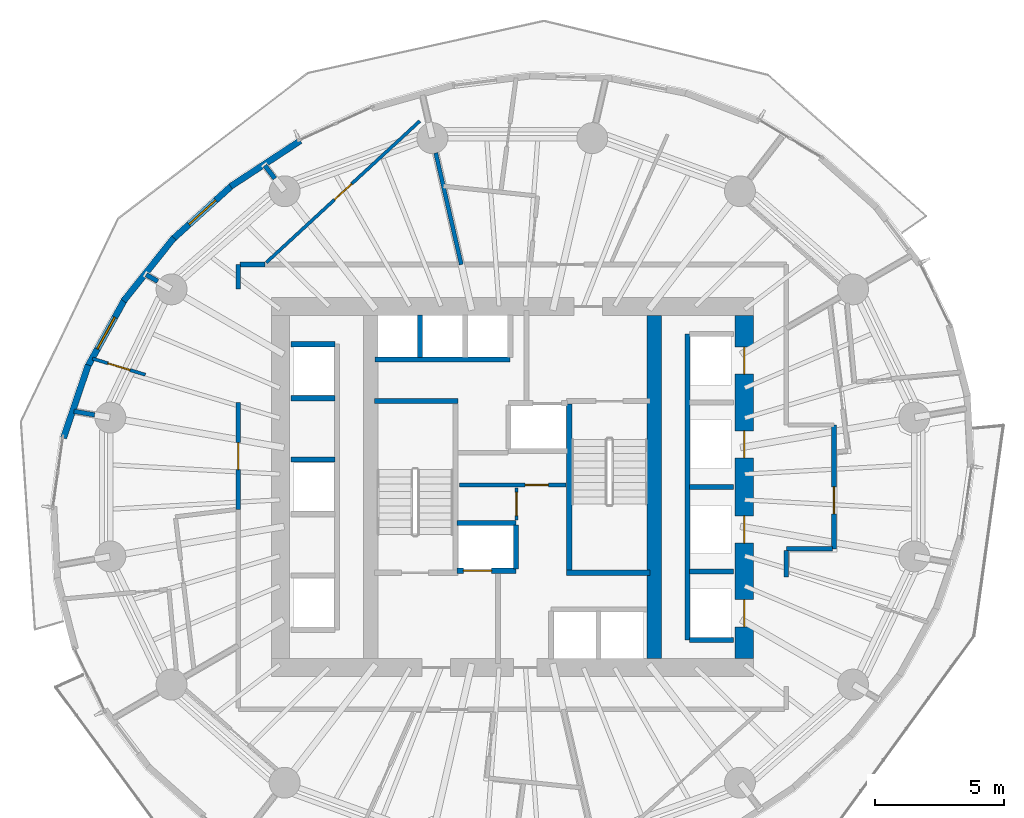
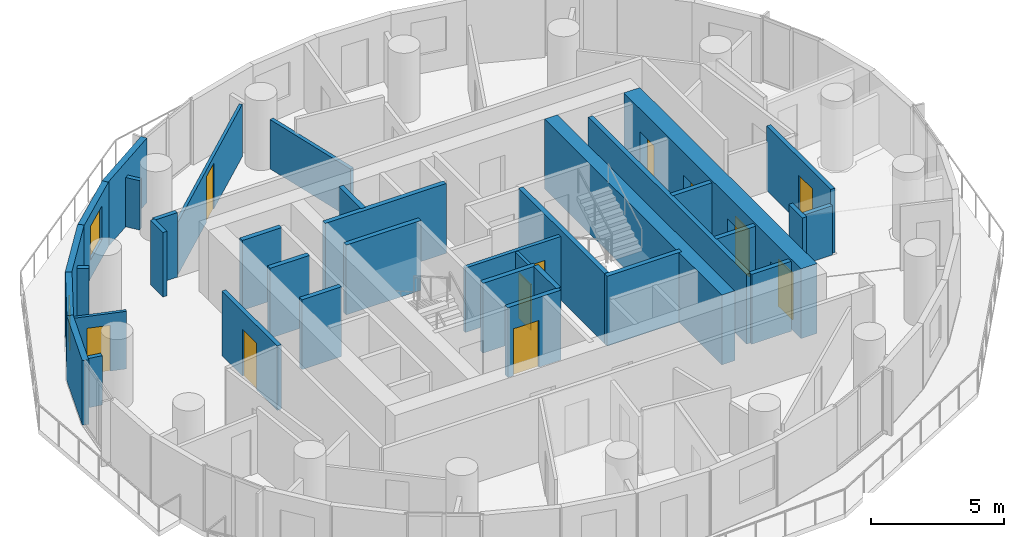
# One storey, part 8 of 14: 36 walls, 11 doors, 2 windows, 13 openings.
"""IFC4 building model written with IfcOpenShell, lengths in metres."""

from ifc_helpers import new_model, si_unit, direction, frame, frame_2d, origin, place, context, subcontext, project, spatial, rectangle, extrude, material, layer, layer_set, type_object, element, fill, save


model = new_model("IFC4")

# Units and contexts
model_context = context("Model", 3, precision=1e-05, world=origin(), true_north=direction((0.0, 1.0)))
body_context = subcontext(model_context, "Body", "Model", "MODEL_VIEW")
ifc_project = project(units=[si_unit("LENGTHUNIT", "METRE"), si_unit("AREAUNIT", "SQUARE_METRE"), si_unit("VOLUMEUNIT", "CUBIC_METRE"), si_unit("PLANEANGLEUNIT", "RADIAN"), si_unit("MASSUNIT", "GRAM", prefix="KILO")], contexts=[model_context])

# Site, building, storey
site_placement = place(None, origin())
site = spatial("IfcSite", under=ifc_project, at=site_placement, CompositionType="ELEMENT")
building_placement = place(site_placement, origin())
building = spatial("IfcBuilding", under=site, at=building_placement, Name="Veldorim Arch Residences", CompositionType="ELEMENT")
storey_placement = place(building_placement, frame((0.0, 0.0, 86.8798828125)))
storey = spatial("IfcBuildingStorey", under=building, at=storey_placement, Name="L25", CompositionType="ELEMENT", Elevation=86.8798828125)

# Wall, opening, door
ifc_material_1 = material(Name="Acoustic Gypsum Board", Category="gypsum")
ifc_layer_1 = layer(ifc_material_1, 0.125, Name="Acoustic Stud Room Partition Wall 125")
ifc_layer_set_1 = layer_set([ifc_layer_1], Name="Acoustic Gypsum Board")
wall_type_1 = type_object("IfcWallType", Name="Acoustic Stud Room Partition Wall 125", PredefinedType="PARTITIONING", material=ifc_layer_set_1)
wall_1_placement = place(storey_placement, frame((32.159912109375, 22.719970703125, 0.0), z_axis=(0.0, 0.0, 1.0), x_axis=(0.0, 1.0, 0.0)))
wall_1 = element("IfcWall", 1, at=wall_1_placement, inside=storey, type_object=wall_type_1, Name="L25 interior wall WL-CA-L25-2", PredefinedType="PARTITIONING", context=body_context, shape_type="SweptSolid", body=[
    extrude(rectangle(XDim=1.25, YDim=0.125, at=frame_2d((0.625, 0.0))), origin(), (0.0, 0.0, 1.0), 2.955078125),
])
opening_1_placement = place(wall_1_placement, frame((0.169921875, 0.0, 0.0)))
opening_1 = element("IfcOpeningElement", 2, at=opening_1_placement, cuts=wall_1, Name="Opening DR-SVC", PredefinedType="OPENING", context=body_context, shape_type="SweptSolid", body=[
    extrude(rectangle(XDim=0.89990234375, YDim=2.10009765625, at=frame_2d((0.449951171875, 1.050048828125))), frame((0.0, 0.072509765625, 0.0), z_axis=(0.0, -1.0, 0.0), x_axis=(1.0, 0.0, 0.0)), (0.0, 0.0, 1.0), 0.14501953125),
])
ifc_material_2 = material(Name="Fire-Rated Steel", Category="steel")
door_type_1 = type_object("IfcDoorType", Name="Riser, Shelter & Plant Room Rated Steel Door 900x2100", OperationType="SINGLE_SWING_LEFT", PredefinedType="DOOR", material=ifc_material_2)
door_1_placement = place(opening_1_placement, origin())
door_1 = element("IfcDoor", 3, at=door_1_placement, inside=storey, type_object=door_type_1, Name="L25 interior door DR-L25-CA2", OperationType="SINGLE_SWING_RIGHT", OverallHeight=2.10009765625, OverallWidth=0.89990234375, PredefinedType="DOOR", context=body_context, shape_type="SweptSolid", body=[
    extrude(rectangle(XDim=0.89990234375, YDim=2.10009765625, at=frame_2d((0.449951171875, 1.050048828125))), frame((0.0, 0.02490234375, 0.0), z_axis=(0.0, -1.0, 0.0), x_axis=(1.0, 0.0, 0.0)), (0.0, 0.0, 1.0), 0.050048828125),
])
fill(opening_1, door_1)

wall_2_placement = place(storey_placement, frame((15.711669921875, 28.982177734375, 0.0), z_axis=(0.0, 0.0, 1.0), x_axis=(0.956248079097, -0.292557022175, 0.0)))
wall_2 = element("IfcWall", 4, at=wall_2_placement, inside=storey, type_object=wall_type_1, Name="L25 interior wall WL-RES-L25-036", PredefinedType="PARTITIONING", context=body_context, shape_type="SweptSolid", body=[
    extrude(rectangle(XDim=2.143798828125, YDim=0.125, at=frame_2d((1.07177734375, 0.0))), origin(), (0.0, 0.0, 1.0), 2.6416015625),
])
opening_2_placement = place(wall_2_placement, frame((0.6220703125, 0.0, 0.0)))
opening_2 = element("IfcOpeningElement", 5, at=opening_2_placement, cuts=wall_2, Name="Opening DR-INT", PredefinedType="OPENING", context=body_context, shape_type="SweptSolid", body=[
    extrude(rectangle(XDim=0.89990234375, YDim=2.10009765625, at=frame_2d((0.449951171875, 1.050048828125))), frame((0.0, 0.072509765625, 0.0), z_axis=(0.0, -1.0, 0.0), x_axis=(1.0, 0.0, 0.0)), (0.0, 0.0, 1.0), 0.14501953125),
])
ifc_material_3 = material(Name="Engineered Timber", Category="wood")
door_type_2 = type_object("IfcDoorType", Name="Apartment Internal Room Timber Door 900x2100", OperationType="SINGLE_SWING_LEFT", PredefinedType="DOOR", material=ifc_material_3)
door_2_placement = place(opening_2_placement, origin())
door_2 = element("IfcDoor", 6, at=door_2_placement, inside=storey, type_object=door_type_2, Name="L25 interior door DR-RES-L25-018", OperationType="SINGLE_SWING_RIGHT", OverallHeight=2.10009765625, OverallWidth=0.89990234375, PredefinedType="DOOR", context=body_context, shape_type="SweptSolid", body=[
    extrude(rectangle(XDim=0.89990234375, YDim=2.10009765625, at=frame_2d((0.449951171875, 1.050048828125))), frame((0.0, 0.02490234375, 0.0), z_axis=(0.0, -1.0, 0.0), x_axis=(1.0, 0.0, 0.0)), (0.0, 0.0, 1.0), 0.050048828125),
])
fill(opening_2, door_2)

wall_3_placement = place(storey_placement, frame((28.408203125, 38.19482421875, 0.0), z_axis=(0.0, 0.0, 1.0), x_axis=(-0.735306461181, -0.677734762386, 0.0)))
wall_3 = element("IfcWall", 7, at=wall_3_placement, inside=storey, type_object=wall_type_1, Name="L25 interior wall WL-RES-L25-039", PredefinedType="PARTITIONING", context=body_context, shape_type="SweptSolid", body=[
    extrude(rectangle(XDim=8.091064453125, YDim=0.125, at=frame_2d((4.04541015625, 0.0))), origin(), (0.0, 0.0, 1.0), 2.40380859375),
])
opening_3_placement = place(wall_3_placement, frame((3.595703125, 0.0, 0.0)))
opening_3 = element("IfcOpeningElement", 8, at=opening_3_placement, cuts=wall_3, Name="Opening DR-INT", PredefinedType="OPENING", context=body_context, shape_type="SweptSolid", body=[
    extrude(rectangle(XDim=0.89990234375, YDim=2.10009765625, at=frame_2d((0.449951171875, 1.050048828125))), frame((0.0, 0.072509765625, 0.0), z_axis=(0.0, -1.0, 0.0), x_axis=(1.0, 0.0, 0.0)), (0.0, 0.0, 1.0), 0.14501953125),
])
door_3_placement = place(opening_3_placement, origin())
door_3 = element("IfcDoor", 9, at=door_3_placement, inside=storey, type_object=door_type_2, Name="L25 interior door DR-RES-L25-019", OperationType="SINGLE_SWING_LEFT", OverallHeight=2.10009765625, OverallWidth=0.89990234375, PredefinedType="DOOR", context=body_context, shape_type="SweptSolid", body=[
    extrude(rectangle(XDim=0.89990234375, YDim=2.10009765625, at=frame_2d((0.449951171875, 1.050048828125))), frame((0.0, 0.02490234375, 0.0), z_axis=(0.0, -1.0, 0.0), x_axis=(1.0, 0.0, 0.0)), (0.0, 0.0, 1.0), 0.050048828125),
])
fill(opening_3, door_3)

# Walls
ifc_material_4 = material(Name="Lightweight Masonry Block & Gypsum", Category="masonry")
ifc_layer_2 = layer(ifc_material_4, 0.179931640625, Name="Compartment & Corridor Fire-Rated Party Wall 180")
ifc_layer_set_2 = layer_set([ifc_layer_2], Name="Lightweight Masonry Block & Gypsum")
wall_type_2 = type_object("IfcWallType", Name="Compartment & Corridor Fire-Rated Party Wall 180", PredefinedType="PARTITIONING", material=ifc_layer_set_2)
wall_4_placement = place(storey_placement, frame((22.7880859375, 35.965576171875, 0.0), z_axis=(0.0, 0.0, 1.0), x_axis=(-0.609970610867, 0.792424036661, 0.0)))
element("IfcWall", 10, at=wall_4_placement, inside=storey, type_object=wall_type_2, Name="L25 interior wall WL-PIER-L25-06", PredefinedType="PARTITIONING", context=body_context, shape_type="SweptSolid", body=[
    extrude(rectangle(XDim=0.635498046875, YDim=0.179931640625, at=frame_2d((0.31787109375, 0.0))), origin(), (0.0, 0.0, 1.0), 2.2607421875),
])
wall_5_placement = place(storey_placement, frame((18.243408203125, 31.977783203125, 0.0), z_axis=(0.0, 0.0, 1.0), x_axis=(-0.864981735625, 0.501803344981, 0.0)))
element("IfcWall", 11, at=wall_5_placement, inside=storey, type_object=wall_type_2, Name="L25 interior wall WL-PIER-L25-07", PredefinedType="PARTITIONING", context=body_context, shape_type="SweptSolid", body=[
    extrude(rectangle(XDim=0.51416015625, YDim=0.179931640625, at=frame_2d((0.257080078125, 0.0))), origin(), (0.0, 0.0, 1.0), 2.2607421875),
])
wall_6_placement = place(storey_placement, frame((15.79443359375, 26.797607421875, 0.0), z_axis=(0.0, 0.0, 1.0), x_axis=(-0.985418430365, 0.170148514822, 0.0)))
element("IfcWall", 12, at=wall_6_placement, inside=storey, type_object=wall_type_2, Name="L25 interior wall WL-PIER-L25-08", PredefinedType="PARTITIONING", context=body_context, shape_type="SweptSolid", body=[
    extrude(rectangle(XDim=0.812255859375, YDim=0.179931640625, at=frame_2d((0.40625, 0.0))), origin(), (0.0, 0.0, 1.0), 2.2607421875),
])

# Wall, opening, door
wall_7_placement = place(storey_placement, frame((44.47998046875, 26.39990234375, 0.0), z_axis=(0.0, 0.0, 1.0), x_axis=(0.0, -1.0, 0.0)))
wall_7 = element("IfcWall", 13, at=wall_7_placement, inside=storey, type_object=wall_type_2, Name="L25 interior wall WL-RES-L25-003", PredefinedType="PARTITIONING", context=body_context, shape_type="SweptSolid", body=[
    extrude(rectangle(XDim=4.7998046875, YDim=0.179931640625, at=frame_2d((2.39990234375, 0.0))), origin(), (0.0, 0.0, 1.0), 2.955078125),
])
opening_4_placement = place(wall_7_placement, frame((2.39208984375, 0.0, 0.0)))
opening_4 = element("IfcOpeningElement", 14, at=opening_4_placement, cuts=wall_7, Name="Opening DR-FLT", PredefinedType="OPENING", context=body_context, shape_type="SweptSolid", body=[
    extrude(rectangle(XDim=1.050048828125, YDim=2.14990234375, at=frame_2d((0.52490234375, 1.074951171875))), frame((0.0, 0.099853515625, 0.0), z_axis=(0.0, -1.0, 0.0), x_axis=(1.0, 0.0, 0.0)), (0.0, 0.0, 1.0), 0.199951171875),
])
ifc_material_5 = material(Name="Fire-Rated Timber", Category="wood")
door_type_3 = type_object("IfcDoorType", Name="Apartment Entrance Solid-Core Fire Door 1050x2150", OperationType="SINGLE_SWING_LEFT", PredefinedType="DOOR", material=ifc_material_5)
door_4_placement = place(opening_4_placement, origin())
door_4 = element("IfcDoor", 15, at=door_4_placement, inside=storey, type_object=door_type_3, Name="L25 interior door DR-RES-L25-006", OperationType="SINGLE_SWING_RIGHT", OverallHeight=2.14990234375, OverallWidth=1.050048828125, PredefinedType="DOOR", context=body_context, shape_type="SweptSolid", body=[
    extrude(rectangle(XDim=1.050048828125, YDim=2.14990234375, at=frame_2d((0.52490234375, 1.074951171875))), frame((0.0, 0.02490234375, 0.0), z_axis=(0.0, -1.0, 0.0), x_axis=(1.0, 0.0, 0.0)), (0.0, 0.0, 1.0), 0.050048828125),
])
fill(opening_4, door_4)

# Walls
wall_8_placement = place(storey_placement, frame((44.419921875, 21.60009765625, 0.0), z_axis=(0.0, 0.0, 1.0), x_axis=(-1.0, 0.0, 0.0)))
element("IfcWall", 16, at=wall_8_placement, inside=storey, type_object=wall_type_2, Name="L25 interior wall WL-RES-L25-004", PredefinedType="PARTITIONING", context=body_context, shape_type="SweptSolid", body=[
    extrude(rectangle(XDim=1.7900390625, YDim=0.179931640625, at=frame_2d((0.89501953125, 0.0))), origin(), (0.0, 0.0, 1.0), 2.2607421875),
])
wall_9_placement = place(storey_placement, frame((42.6298828125, 21.5400390625, 0.0), z_axis=(0.0, 0.0, 1.0), x_axis=(0.0, -1.0, 0.0)))
element("IfcWall", 17, at=wall_9_placement, inside=storey, type_object=wall_type_2, Name="L25 interior wall WL-RES-L25-005", PredefinedType="PARTITIONING", context=body_context, shape_type="SweptSolid", body=[
    extrude(rectangle(XDim=1.033935546875, YDim=0.179931640625, at=frame_2d((0.51708984375, 0.0))), origin(), (0.0, 0.0, 1.0), 2.955078125),
])

# Wall, opening, door
wall_10_placement = place(storey_placement, frame((21.3701171875, 23.118408203125, 0.0), z_axis=(0.0, 0.0, 1.0), x_axis=(0.0, 1.0, 0.0)))
wall_10 = element("IfcWall", 18, at=wall_10_placement, inside=storey, type_object=wall_type_2, Name="L25 interior wall WL-RES-L25-011", PredefinedType="PARTITIONING", context=body_context, shape_type="SweptSolid", body=[
    extrude(rectangle(XDim=4.15380859375, YDim=0.179931640625, at=frame_2d((2.076904296875, 0.0))), origin(), (0.0, 0.0, 1.0), 2.955078125),
])
opening_5_placement = place(wall_10_placement, frame((1.552001953125, 0.0, 0.0)))
opening_5 = element("IfcOpeningElement", 19, at=opening_5_placement, cuts=wall_10, Name="Opening DR-FLT", PredefinedType="OPENING", context=body_context, shape_type="SweptSolid", body=[
    extrude(rectangle(XDim=1.050048828125, YDim=2.14990234375, at=frame_2d((0.52490234375, 1.074951171875))), frame((0.0, 0.099853515625, 0.0), z_axis=(0.0, -1.0, 0.0), x_axis=(1.0, 0.0, 0.0)), (0.0, 0.0, 1.0), 0.199951171875),
])
door_5_placement = place(opening_5_placement, origin())
door_5 = element("IfcDoor", 20, at=door_5_placement, inside=storey, type_object=door_type_3, Name="L25 interior door DR-RES-L25-016", OperationType="SINGLE_SWING_RIGHT", OverallHeight=2.14990234375, OverallWidth=1.050048828125, PredefinedType="DOOR", context=body_context, shape_type="SweptSolid", body=[
    extrude(rectangle(XDim=1.050048828125, YDim=2.14990234375, at=frame_2d((0.52490234375, 1.074951171875))), frame((0.0, 0.02490234375, 0.0), z_axis=(0.0, -1.0, 0.0), x_axis=(1.0, 0.0, 0.0)), (0.0, 0.0, 1.0), 0.050048828125),
])
fill(opening_5, door_5)

# Walls
wall_11_placement = place(storey_placement, frame((21.3701171875, 31.6806640625, 0.0), z_axis=(0.0, 0.0, 1.0), x_axis=(0.0, 1.0, 0.0)))
element("IfcWall", 21, at=wall_11_placement, inside=storey, type_object=wall_type_2, Name="L25 interior wall WL-RES-L25-012", PredefinedType="PARTITIONING", context=body_context, shape_type="SweptSolid", body=[
    extrude(rectangle(XDim=0.94921875, YDim=0.179931640625, at=frame_2d((0.474609375, 0.0))), origin(), (0.0, 0.0, 1.0), 2.955078125),
])
wall_12_placement = place(storey_placement, frame((21.429931640625, 32.6298828125, 0.0), z_axis=(0.0, 0.0, 1.0), x_axis=(1.0, 0.0, 0.0)))
element("IfcWall", 22, at=wall_12_placement, inside=storey, type_object=wall_type_2, Name="L25 interior wall WL-RES-L25-013", PredefinedType="PARTITIONING", context=body_context, shape_type="SweptSolid", body=[
    extrude(rectangle(XDim=0.969970703125, YDim=0.179931640625, at=frame_2d((0.48486328125, 0.0))), origin(), (0.0, 0.0, 1.0), 2.955078125),
])
ifc_material_6 = material(Name="Concrete C50/60", Category="concrete")
ifc_layer_3 = layer(ifc_material_6, 0.199951171875, Name="Core Stair & Lift Shaft Enclosure Wall 200")
ifc_layer_set_3 = layer_set([ifc_layer_3], Name="Concrete C50/60")
wall_type_3 = type_object("IfcWallType", Name="Core Stair & Lift Shaft Enclosure Wall 200", PredefinedType="SHEAR", material=ifc_layer_set_3)
wall_13_placement = place(storey_placement, frame((26.64990234375, 27.330078125, 0.0), z_axis=(0.0, 0.0, 1.0), x_axis=(1.0, 0.0, 0.0)))
element("IfcWall", 23, at=wall_13_placement, inside=storey, type_object=wall_type_3, Name="L25 shaft wall WL-SHF-L25-ST1-N", PredefinedType="SHEAR", context=body_context, shape_type="SweptSolid", body=[
    extrude(rectangle(XDim=3.239990234375, YDim=0.199951171875, at=frame_2d((1.6201171875, 0.0))), origin(), (0.0, 0.0, 1.0), 3.2001953125),
])
wall_14_placement = place(storey_placement, frame((34.2099609375, 20.780029296875, 0.0), z_axis=(0.0, 0.0, 1.0), x_axis=(0.0, 1.0, 0.0)))
element("IfcWall", 24, at=wall_14_placement, inside=storey, type_object=wall_type_3, Name="L25 shaft wall WL-SHF-L25-ST2-W", PredefinedType="SHEAR", context=body_context, shape_type="SweptSolid", body=[
    extrude(rectangle(XDim=6.43994140625, YDim=0.199951171875, at=frame_2d((3.219970703125, 0.0))), origin(), (0.0, 0.0, 1.0), 3.2001953125),
])
wall_15_placement = place(storey_placement, frame((34.110107421875, 20.669921875, 0.0), z_axis=(0.0, 0.0, 1.0), x_axis=(1.0, 0.0, 0.0)))
element("IfcWall", 25, at=wall_15_placement, inside=storey, type_object=wall_type_3, Name="L25 shaft wall WL-SHF-L25-ST2-S", PredefinedType="SHEAR", context=body_context, shape_type="SweptSolid", body=[
    extrude(rectangle(XDim=3.239990234375, YDim=0.199951171875, at=frame_2d((1.6201171875, 0.0))), origin(), (0.0, 0.0, 1.0), 3.2001953125),
])

# Wall, opening, door
wall_16_placement = place(storey_placement, frame((29.85009765625, 20.75, 0.0), z_axis=(0.0, 0.0, 1.0), x_axis=(1.0, 0.0, 0.0)))
wall_16 = element("IfcWall", 26, at=wall_16_placement, inside=storey, type_object=wall_type_3, Name="L25 shaft wall WL-FL01-L25-S", PredefinedType="SHEAR", context=body_context, shape_type="SweptSolid", body=[
    extrude(rectangle(XDim=2.2998046875, YDim=0.199951171875, at=frame_2d((1.14990234375, 0.0))), origin(), (0.0, 0.0, 1.0), 3.2001953125),
])
opening_6_placement = place(wall_16_placement, frame((0.25, 0.0, 0.0)))
opening_6 = element("IfcOpeningElement", 27, at=opening_6_placement, cuts=wall_16, Name="Opening LD-FF", PredefinedType="OPENING", context=body_context, shape_type="SweptSolid", body=[
    extrude(rectangle(XDim=1.10009765625, YDim=2.14990234375, at=frame_2d((0.550048828125, 1.074951171875))), frame((0.0, 0.10986328125, 0.0), z_axis=(0.0, -1.0, 0.0), x_axis=(1.0, 0.0, 0.0)), (0.0, 0.0, 1.0), 0.219970703125),
])
ifc_material_7 = material(Name="Stainless Steel", Category="steel")
door_type_4 = type_object("IfcDoorType", Name="Firefighting Lift Bi-Parting Sliding Landing Door 1100x2150", OperationType="DOUBLE_DOOR_SLIDING", PredefinedType="DOOR", material=ifc_material_7)
door_6_placement = place(opening_6_placement, origin())
door_6 = element("IfcDoor", 28, at=door_6_placement, inside=storey, type_object=door_type_4, Name="L25 lift landing door LD-L25-FL01", OperationType="DOUBLE_DOOR_SLIDING", OverallHeight=2.14990234375, OverallWidth=1.10009765625, PredefinedType="DOOR", context=body_context, shape_type="SweptSolid", body=[
    extrude(rectangle(XDim=1.10009765625, YDim=2.14990234375, at=frame_2d((0.550048828125, 1.074951171875))), frame((0.0, 0.02490234375, 0.0), z_axis=(0.0, -1.0, 0.0), x_axis=(1.0, 0.0, 0.0)), (0.0, 0.0, 1.0), 0.050048828125),
])
fill(opening_6, door_6)

# Walls
wall_17_placement = place(storey_placement, frame((29.85009765625, 22.60009765625, 0.0), z_axis=(0.0, 0.0, 1.0), x_axis=(1.0, 0.0, 0.0)))
element("IfcWall", 29, at=wall_17_placement, inside=storey, type_object=wall_type_3, Name="L25 shaft wall WL-FL01-L25-N", PredefinedType="SHEAR", context=body_context, shape_type="SweptSolid", body=[
    extrude(rectangle(XDim=2.2998046875, YDim=0.199951171875, at=frame_2d((1.14990234375, 0.0))), origin(), (0.0, 0.0, 1.0), 3.2001953125),
])
wall_18_placement = place(storey_placement, frame((32.14990234375, 20.820068359375, 0.0), z_axis=(0.0, 0.0, 1.0), x_axis=(0.0, 1.0, 0.0)))
element("IfcWall", 30, at=wall_18_placement, inside=storey, type_object=wall_type_3, Name="L25 shaft wall WL-FL01-L25-E", PredefinedType="SHEAR", context=body_context, shape_type="SweptSolid", body=[
    extrude(rectangle(XDim=1.7099609375, YDim=0.199951171875, at=frame_2d((0.85498046875, 0.0))), origin(), (0.0, 0.0, 1.0), 3.2001953125),
])
wall_19_placement = place(storey_placement, frame((38.800048828125, 18.06005859375, 0.0), z_axis=(0.0, 0.0, 1.0), x_axis=(0.0, 1.0, 0.0)))
element("IfcWall", 31, at=wall_19_placement, inside=storey, type_object=wall_type_3, Name="L25 shaft wall WL-B1-L25-W", PredefinedType="SHEAR", context=body_context, shape_type="SweptSolid", body=[
    extrude(rectangle(XDim=11.8798828125, YDim=0.199951171875, at=frame_2d((5.93994140625, 0.0))), origin(), (0.0, 0.0, 1.0), 3.2001953125),
])
for number, where, z_axis, x_axis, name in (
    (32, (38.8701171875, 18.06005859375, 0.0), (0.0, 0.0, 1.0), (1.0, 0.0, 0.0), "L25 shaft wall WL-B1-L25-S"),
    (33, (38.8701171875, 20.72509765625, 0.0), (0.0, 0.0, 1.0), (1.0, 0.0, 0.0), "L25 shaft wall WL-B1-L25-D1"),
    (34, (38.8701171875, 24.0, 0.0), (0.0, 0.0, 1.0), (1.0, 0.0, 0.0), "L25 shaft wall WL-B1-L25-D2"),
    (35, (23.419921875, 29.5400390625, 0.0), (0.0, 0.0, 1.0), (1.0, 0.0, 0.0), "L25 shaft wall WL-B2-L25-N"),
    (36, (23.419921875, 25.06005859375, 0.0), (0.0, 0.0, 1.0), (1.0, 0.0, 0.0), "L25 shaft wall WL-B2-L25-D2A"),
    (37, (23.419921875, 27.43994140625, 0.0), (0.0, 0.0, 1.0), (1.0, 0.0, 0.0), "L25 shaft wall WL-B2-L25-D2B"),
):
    element("IfcWall", number, at=place(storey_placement, frame(where, z_axis=z_axis, x_axis=x_axis)), inside=storey, type_object=wall_type_3, Name=name, PredefinedType="SHEAR", context=body_context, shape_type="SweptSolid", body=[
        extrude(rectangle(XDim=1.7099609375, YDim=0.199951171875, at=frame_2d((0.85498046875, 0.0))), origin(), (0.0, 0.0, 1.0), 3.2001953125),
    ])
wall_20_placement = place(storey_placement, frame((26.679931640625, 28.949951171875, 0.0), z_axis=(0.0, 0.0, 1.0), x_axis=(1.0, 0.0, 0.0)))
element("IfcWall", 38, at=wall_20_placement, inside=storey, type_object=wall_type_3, Name="L25 shaft wall WL-B3-L25-S", PredefinedType="SHEAR", context=body_context, shape_type="SweptSolid", body=[
    extrude(rectangle(XDim=5.239990234375, YDim=0.199951171875, at=frame_2d((2.6201171875, 0.0))), origin(), (0.0, 0.0, 1.0), 3.2001953125),
])
wall_21_placement = place(storey_placement, frame((28.425048828125, 29.02001953125, 0.0), z_axis=(0.0, 0.0, 1.0), x_axis=(0.0, 1.0, 0.0)))
element("IfcWall", 39, at=wall_21_placement, inside=storey, type_object=wall_type_3, Name="L25 shaft wall WL-B3-L25-D1", PredefinedType="SHEAR", context=body_context, shape_type="SweptSolid", body=[
    extrude(rectangle(XDim=1.659912109375, YDim=0.199951171875, at=frame_2d((0.830078125, 0.0))), origin(), (0.0, 0.0, 1.0), 3.2001953125),
])
ifc_material_8 = material(Name="Concrete C60/75", Category="concrete")
ifc_layer_4 = layer(ifc_material_8, 0.56005859375, Name="Internal Core Shear Web Wall 560")
ifc_layer_set_4 = layer_set([ifc_layer_4], Name="Concrete C60/75")
wall_type_4 = type_object("IfcWallType", Name="Internal Core Shear Web Wall 560", PredefinedType="SHEAR", material=ifc_layer_set_4)
wall_22_placement = place(storey_placement, frame((37.5, 17.35009765625, 0.0), z_axis=(0.0, 0.0, 1.0), x_axis=(0.0, 1.0, 0.0)))
element("IfcWall", 40, at=wall_22_placement, inside=storey, type_object=wall_type_4, Name="L25 core east internal shear web", PredefinedType="SHEAR", context=body_context, shape_type="SweptSolid", body=[
    extrude(rectangle(XDim=13.2998046875, YDim=0.56005859375, at=frame_2d((6.64990234375, 0.0))), origin(), (0.0, 0.0, 1.0), 3.2001953125),
])

# Wall, openings, doors
ifc_material_9 = material(Name="Concrete C60/75", Category="concrete")
ifc_layer_5 = layer(ifc_material_9, 0.699951171875, Name="Mid-Lower Central Core Shear Wall 700")
ifc_layer_set_5 = layer_set([ifc_layer_5], Name="Concrete C60/75")
wall_type_5 = type_object("IfcWallType", Name="Mid-Lower Central Core Shear Wall 700", PredefinedType="SHEAR", material=ifc_layer_set_5)
wall_23_placement = place(storey_placement, frame((41.0, 17.35009765625, 0.0), z_axis=(0.0, 0.0, 1.0), x_axis=(0.0, 1.0, 0.0)))
wall_23 = element("IfcWall", 41, at=wall_23_placement, inside=storey, type_object=wall_type_5, Name="L25 central core east shear wall", PredefinedType="SHEAR", context=body_context, shape_type="SweptSolid", body=[
    extrude(rectangle(XDim=13.2998046875, YDim=0.699951171875, at=frame_2d((6.64990234375, 0.0))), origin(), (0.0, 0.0, 1.0), 3.2001953125),
])
opening_7_placement = place(wall_23_placement, frame((1.22509765625, 0.0, 0.0)))
opening_7 = element("IfcOpeningElement", 42, at=opening_7_placement, cuts=wall_23, Name="Opening LD-PS", PredefinedType="OPENING", context=body_context, shape_type="SweptSolid", body=[
    extrude(rectangle(XDim=1.050048828125, YDim=2.14990234375, at=frame_2d((0.52490234375, 1.074951171875))), frame((0.0, 0.35986328125, 0.0), z_axis=(0.0, -1.0, 0.0), x_axis=(1.0, 0.0, 0.0)), (0.0, 0.0, 1.0), 0.719970703125),
])
opening_8_placement = place(wall_23_placement, frame((4.47509765625, 0.0, 0.0)))
opening_8 = element("IfcOpeningElement", 43, at=opening_8_placement, cuts=wall_23, Name="Opening LD-PS", PredefinedType="OPENING", context=body_context, shape_type="SweptSolid", body=[
    extrude(rectangle(XDim=1.050048828125, YDim=2.14990234375, at=frame_2d((0.52490234375, 1.074951171875))), frame((0.0, 0.35986328125, 0.0), z_axis=(0.0, -1.0, 0.0), x_axis=(1.0, 0.0, 0.0)), (0.0, 0.0, 1.0), 0.719970703125),
])
opening_9_placement = place(wall_23_placement, frame((7.77490234375, 0.0, 0.0)))
opening_9 = element("IfcOpeningElement", 44, at=opening_9_placement, cuts=wall_23, Name="Opening LD-PS", PredefinedType="OPENING", context=body_context, shape_type="SweptSolid", body=[
    extrude(rectangle(XDim=1.050048828125, YDim=2.14990234375, at=frame_2d((0.52490234375, 1.074951171875))), frame((0.0, 0.35986328125, 0.0), z_axis=(0.0, -1.0, 0.0), x_axis=(1.0, 0.0, 0.0)), (0.0, 0.0, 1.0), 0.719970703125),
])
opening_10_placement = place(wall_23_placement, frame((11.02490234375, 0.0, 0.0)))
opening_10 = element("IfcOpeningElement", 45, at=opening_10_placement, cuts=wall_23, Name="Opening LD-PS", PredefinedType="OPENING", context=body_context, shape_type="SweptSolid", body=[
    extrude(rectangle(XDim=1.050048828125, YDim=2.14990234375, at=frame_2d((0.52490234375, 1.074951171875))), frame((0.0, 0.35986328125, 0.0), z_axis=(0.0, -1.0, 0.0), x_axis=(1.0, 0.0, 0.0)), (0.0, 0.0, 1.0), 0.719970703125),
])
ifc_material_10 = material(Name="Stainless Steel", Category="steel")
door_type_5 = type_object("IfcDoorType", Name="Passenger Lift Bi-Parting Sliding Landing Door 1050x2150", OperationType="DOUBLE_DOOR_SLIDING", PredefinedType="DOOR", material=ifc_material_10)
door_7_placement = place(opening_7_placement, origin())
door_7 = element("IfcDoor", 46, at=door_7_placement, inside=storey, type_object=door_type_5, Name="L25 lift landing door LD-L25-PL-01", OperationType="DOUBLE_DOOR_SLIDING", OverallHeight=2.14990234375, OverallWidth=1.050048828125, PredefinedType="DOOR", context=body_context, shape_type="SweptSolid", body=[
    extrude(rectangle(XDim=1.050048828125, YDim=2.14990234375, at=frame_2d((0.52490234375, 1.074951171875))), frame((0.0, 0.02490234375, 0.0), z_axis=(0.0, -1.0, 0.0), x_axis=(1.0, 0.0, 0.0)), (0.0, 0.0, 1.0), 0.050048828125),
])
fill(opening_7, door_7)
door_8_placement = place(opening_8_placement, origin())
door_8 = element("IfcDoor", 47, at=door_8_placement, inside=storey, type_object=door_type_5, Name="L25 lift landing door LD-L25-PL-02", OperationType="DOUBLE_DOOR_SLIDING", OverallHeight=2.14990234375, OverallWidth=1.050048828125, PredefinedType="DOOR", context=body_context, shape_type="SweptSolid", body=[
    extrude(rectangle(XDim=1.050048828125, YDim=2.14990234375, at=frame_2d((0.52490234375, 1.074951171875))), frame((0.0, 0.02490234375, 0.0), z_axis=(0.0, -1.0, 0.0), x_axis=(1.0, 0.0, 0.0)), (0.0, 0.0, 1.0), 0.050048828125),
])
fill(opening_8, door_8)
door_9_placement = place(opening_9_placement, origin())
door_9 = element("IfcDoor", 48, at=door_9_placement, inside=storey, type_object=door_type_5, Name="L25 lift landing door LD-L25-PL-03", OperationType="DOUBLE_DOOR_SLIDING", OverallHeight=2.14990234375, OverallWidth=1.050048828125, PredefinedType="DOOR", context=body_context, shape_type="SweptSolid", body=[
    extrude(rectangle(XDim=1.050048828125, YDim=2.14990234375, at=frame_2d((0.52490234375, 1.074951171875))), frame((0.0, 0.02490234375, 0.0), z_axis=(0.0, -1.0, 0.0), x_axis=(1.0, 0.0, 0.0)), (0.0, 0.0, 1.0), 0.050048828125),
])
fill(opening_9, door_9)
door_10_placement = place(opening_10_placement, origin())
door_10 = element("IfcDoor", 49, at=door_10_placement, inside=storey, type_object=door_type_5, Name="L25 lift landing door LD-L25-PL-04", OperationType="DOUBLE_DOOR_SLIDING", OverallHeight=2.14990234375, OverallWidth=1.050048828125, PredefinedType="DOOR", context=body_context, shape_type="SweptSolid", body=[
    extrude(rectangle(XDim=1.050048828125, YDim=2.14990234375, at=frame_2d((0.52490234375, 1.074951171875))), frame((0.0, 0.02490234375, 0.0), z_axis=(0.0, -1.0, 0.0), x_axis=(1.0, 0.0, 0.0)), (0.0, 0.0, 1.0), 0.050048828125),
])
fill(opening_10, door_10)

# Wall
ifc_material_11 = material(Name="Precast concrete C40/50", Category="concrete")
ifc_layer_6 = layer(ifc_material_11, 0.25, Name="Tower Terracotta Spandrel & Pier Wall 250")
ifc_layer_set_6 = layer_set([ifc_layer_6], Name="Precast concrete C40/50")
wall_type_6 = type_object("IfcWallType", Name="Tower Terracotta Spandrel & Pier Wall 250", PredefinedType="SOLIDWALL", material=ifc_layer_set_6)
wall_24_placement = place(storey_placement, frame((21.070556640625, 35.6630859375, 0.0), z_axis=(0.0, 0.0, 1.0), x_axis=(0.836273856728, 0.548311988336, 0.0)))
element("IfcWall", 50, at=wall_24_placement, inside=storey, type_object=wall_type_6, Name="L25 terracotta facade wall 11", PredefinedType="SOLIDWALL", context=body_context, shape_type="SweptSolid", body=[
    extrude(rectangle(XDim=3.236083984375, YDim=0.25, at=frame_2d((1.6181640625, 0.0))), origin(), (0.0, 0.0, 1.0), 2.960205078125),
])

# Wall, opening, window
wall_25_placement = place(storey_placement, frame((18.792236328125, 33.585693359375, 0.0), z_axis=(0.0, 0.0, 1.0), x_axis=(0.740832321657, 0.671690011232, 0.0)))
wall_25 = element("IfcWall", 51, at=wall_25_placement, inside=storey, type_object=wall_type_6, Name="L25 terracotta facade wall 12", PredefinedType="SOLIDWALL", context=body_context, shape_type="SweptSolid", body=[
    extrude(rectangle(XDim=3.19189453125, YDim=0.25, at=frame_2d((1.595947265625, 0.0))), origin(), (0.0, 0.0, 1.0), 2.960205078125),
])
opening_11_placement = place(wall_25_placement, frame((0.89599609375, 0.0, 0.85009765625)))
opening_11 = element("IfcOpeningElement", 52, at=opening_11_placement, cuts=wall_25, Name="Opening WN-02", PredefinedType="OPENING", context=body_context, shape_type="SweptSolid", body=[
    extrude(rectangle(XDim=1.39990234375, YDim=1.550048828125, at=frame_2d((0.699951171875, 0.77490234375))), frame((0.0, 0.135009765625, 0.0), z_axis=(0.0, -1.0, 0.0), x_axis=(1.0, 0.0, 0.0)), (0.0, 0.0, 1.0), 0.27001953125),
])
ifc_material_12 = material(Name="Laminated Low-E Glass", Category="glass")
window_type = type_object("IfcWindowType", Name="Residential Casement Window 1400x1550", PartitioningType="SINGLE_PANEL", PredefinedType="WINDOW", material=ifc_material_12)
window_1_placement = place(opening_11_placement, origin())
window_1 = element("IfcWindow", 53, at=window_1_placement, inside=storey, type_object=window_type, Name="L25 solar-control facade window 12", OverallHeight=1.550048828125, OverallWidth=1.39990234375, PartitioningType="SINGLE_PANEL", PredefinedType="WINDOW", context=body_context, shape_type="SweptSolid", body=[
    extrude(rectangle(XDim=1.39990234375, YDim=1.550048828125, at=frame_2d((0.699951171875, 0.77490234375))), frame((0.0, 0.030029296875, 0.0), z_axis=(0.0, -1.0, 0.0), x_axis=(1.0, 0.0, 0.0)), (0.0, 0.0, 1.0), 0.06005859375),
])
fill(opening_11, window_1)

# Wall
wall_26_placement = place(storey_placement, frame((16.916259765625, 31.217041015625, 0.0), z_axis=(0.0, 0.0, 1.0), x_axis=(0.623134406496, 0.782114768714, 0.0)))
element("IfcWall", 54, at=wall_26_placement, inside=storey, type_object=wall_type_6, Name="L25 terracotta facade wall 13", PredefinedType="SOLIDWALL", context=body_context, shape_type="SweptSolid", body=[
    extrude(rectangle(XDim=3.131103515625, YDim=0.25, at=frame_2d((1.5654296875, 0.0))), origin(), (0.0, 0.0, 1.0), 2.960205078125),
])

# Wall, opening, window
wall_27_placement = place(storey_placement, frame((15.499755859375, 28.62890625, 0.0), z_axis=(0.0, 0.0, 1.0), x_axis=(0.482904421948, 0.875673066426, 0.0)))
wall_27 = element("IfcWall", 55, at=wall_27_placement, inside=storey, type_object=wall_type_6, Name="L25 terracotta facade wall 14", PredefinedType="SOLIDWALL", context=body_context, shape_type="SweptSolid", body=[
    extrude(rectangle(XDim=3.060791015625, YDim=0.25, at=frame_2d((1.5302734375, 0.0))), origin(), (0.0, 0.0, 1.0), 2.960205078125),
])
opening_12_placement = place(wall_27_placement, frame((0.830078125, 0.0, 0.85009765625)))
opening_12 = element("IfcOpeningElement", 56, at=opening_12_placement, cuts=wall_27, Name="Opening WN-02", PredefinedType="OPENING", context=body_context, shape_type="SweptSolid", body=[
    extrude(rectangle(XDim=1.39990234375, YDim=1.550048828125, at=frame_2d((0.699951171875, 0.77490234375))), frame((0.0, 0.135009765625, 0.0), z_axis=(0.0, -1.0, 0.0), x_axis=(1.0, 0.0, 0.0)), (0.0, 0.0, 1.0), 0.27001953125),
])
window_2_placement = place(opening_12_placement, origin())
window_2 = element("IfcWindow", 57, at=window_2_placement, inside=storey, type_object=window_type, Name="L25 solar-control facade window 14", OverallHeight=1.550048828125, OverallWidth=1.39990234375, PartitioningType="SINGLE_PANEL", PredefinedType="WINDOW", context=body_context, shape_type="SweptSolid", body=[
    extrude(rectangle(XDim=1.39990234375, YDim=1.550048828125, at=frame_2d((0.699951171875, 0.77490234375))), frame((0.0, 0.030029296875, 0.0), z_axis=(0.0, -1.0, 0.0), x_axis=(1.0, 0.0, 0.0)), (0.0, 0.0, 1.0), 0.06005859375),
])
fill(opening_12, window_2)

# Wall
wall_28_placement = place(storey_placement, frame((14.585205078125, 25.901123046875, 0.0), z_axis=(0.0, 0.0, 1.0), x_axis=(0.321149814784, 0.947028403198, 0.0)))
element("IfcWall", 58, at=wall_28_placement, inside=storey, type_object=wall_type_6, Name="L25 terracotta facade wall 15", PredefinedType="SOLIDWALL", context=body_context, shape_type="SweptSolid", body=[
    extrude(rectangle(XDim=2.98828125, YDim=0.25, at=frame_2d((1.494140625, 0.0))), origin(), (0.0, 0.0, 1.0), 2.960205078125),
])

# Wall, opening, door
ifc_material_13 = material(Name="Moisture-Resistant Gypsum & Stud", Category="gypsum")
ifc_layer_7 = layer(ifc_material_13, 0.159912109375, Name="Wet-Area Moisture-Resistant Plumbing Wall 160")
ifc_layer_set_7 = layer_set([ifc_layer_7], Name="Moisture-Resistant Gypsum & Stud")
wall_type_7 = type_object("IfcWallType", Name="Wet-Area Moisture-Resistant Plumbing Wall 160", PredefinedType="PLUMBINGWALL", material=ifc_layer_set_7)
wall_29_placement = place(storey_placement, frame((29.949951171875, 24.080078125, 0.0), z_axis=(0.0, 0.0, 1.0), x_axis=(1.0, 0.0, 0.0)))
wall_29 = element("IfcWall", 59, at=wall_29_placement, inside=storey, type_object=wall_type_7, Name="L25 interior wall WL-CA-L25-1", PredefinedType="PLUMBINGWALL", context=body_context, shape_type="SweptSolid", body=[
    extrude(rectangle(XDim=4.130126953125, YDim=0.159912109375, at=frame_2d((2.06494140625, 0.0))), origin(), (0.0, 0.0, 1.0), 2.955078125),
])
opening_13_placement = place(wall_29_placement, frame((2.550048828125, 0.0, 0.0)))
opening_13 = element("IfcOpeningElement", 60, at=opening_13_placement, cuts=wall_29, Name="Opening DR-WC", PredefinedType="OPENING", context=body_context, shape_type="SweptSolid", body=[
    extrude(rectangle(XDim=0.89990234375, YDim=2.10009765625, at=frame_2d((0.449951171875, 1.050048828125))), frame((0.0, 0.08984375, 0.0), z_axis=(0.0, -1.0, 0.0), x_axis=(1.0, 0.0, 0.0)), (0.0, 0.0, 1.0), 0.179931640625),
])
ifc_material_14 = material(Name="Laminate Timber", Category="wood")
door_type_6 = type_object("IfcDoorType", Name="Bathroom & Accessible WC Moisture-Sealed Door 900x2100", OperationType="SINGLE_SWING_LEFT", PredefinedType="DOOR", material=ifc_material_14)
door_11_placement = place(opening_13_placement, origin())
door_11 = element("IfcDoor", 61, at=door_11_placement, inside=storey, type_object=door_type_6, Name="L25 interior door DR-L25-CA1", OperationType="SINGLE_SWING_LEFT", OverallHeight=2.10009765625, OverallWidth=0.89990234375, PredefinedType="DOOR", context=body_context, shape_type="SweptSolid", body=[
    extrude(rectangle(XDim=0.89990234375, YDim=2.10009765625, at=frame_2d((0.449951171875, 1.050048828125))), frame((0.0, 0.02490234375, 0.0), z_axis=(0.0, -1.0, 0.0), x_axis=(1.0, 0.0, 0.0)), (0.0, 0.0, 1.0), 0.050048828125),
])
fill(opening_13, door_11)

# Wall
wall_30_placement = place(storey_placement, frame((30.02197265625, 32.6298828125, 0.0), z_axis=(0.0, 0.0, 1.0), x_axis=(-0.223321757884, 0.974744783241, 0.0)))
element("IfcWall", 62, at=wall_30_placement, inside=storey, type_object=wall_type_7, Name="L25 interior wall WL-RES-L25-032", PredefinedType="PLUMBINGWALL", context=body_context, shape_type="SweptSolid", body=[
    extrude(rectangle(XDim=4.441650390625, YDim=0.159912109375, at=frame_2d((2.220703125, 0.0))), origin(), (0.0, 0.0, 1.0), 2.2607421875),
])

save(model, "model.ifc")
